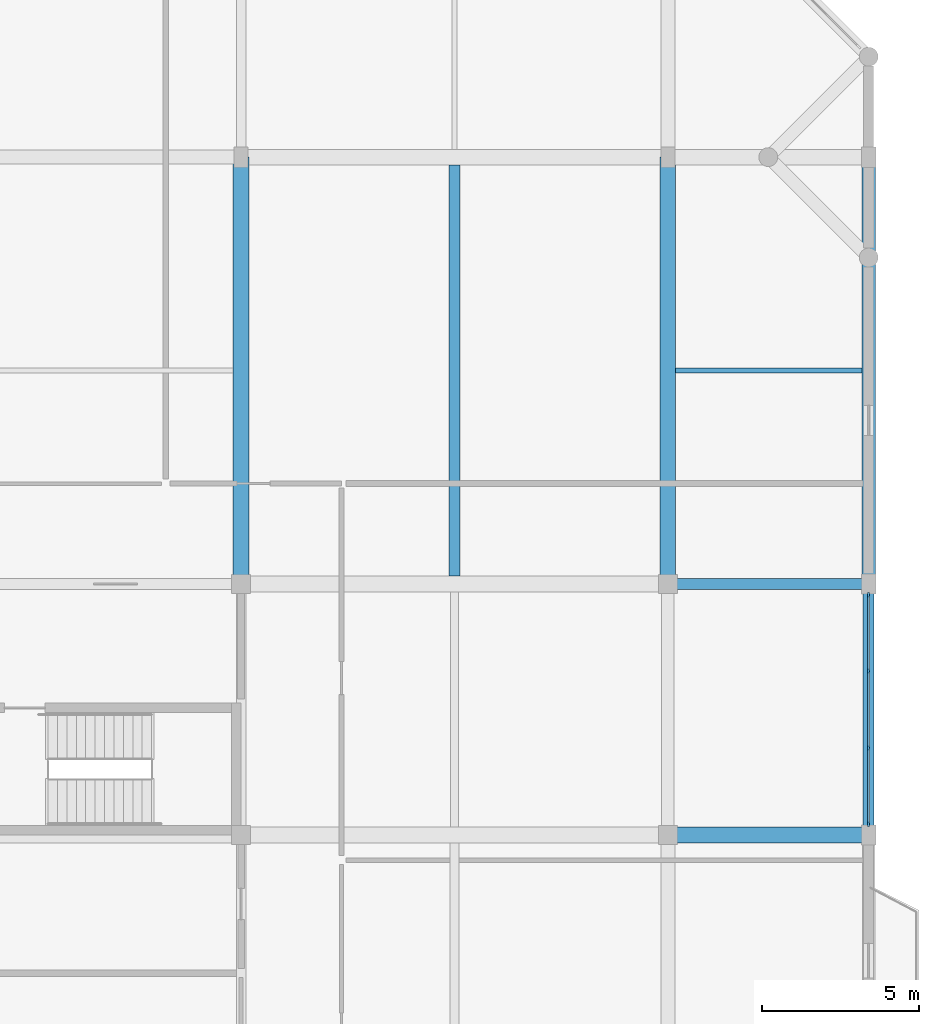
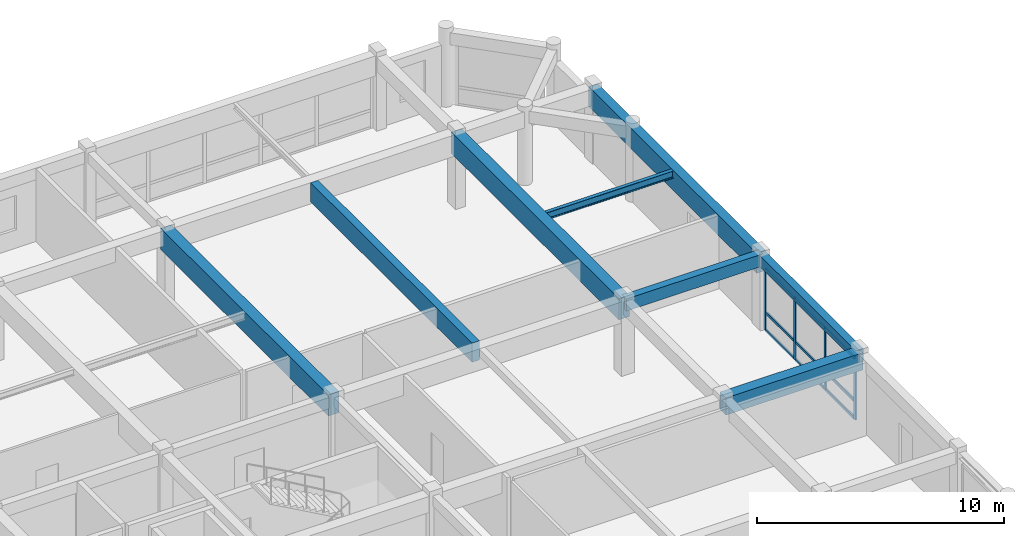
# One storey, part 6 of 13: 13 members, 8 beams, 1 element without a shape of its own.
"""IFC4 building model written with IfcOpenShell, lengths in metres."""

from ifc_helpers import new_model, si_unit, direction, frame, origin, origin_2d, place, context, subcontext, project, spatial, rectangle, i_section, extrude, material, material_profile, profile_set, type_object, element, aggregate, save


model = new_model("IFC4")

# Units and contexts
model_context = context("Model", 3, precision=1e-05, world=origin(), true_north=direction((0.0, 1.0)))
body_context = subcontext(model_context, "Body", "Model", "MODEL_VIEW")
ifc_project = project(units=[si_unit("LENGTHUNIT", "METRE"), si_unit("AREAUNIT", "SQUARE_METRE"), si_unit("VOLUMEUNIT", "CUBIC_METRE"), si_unit("PLANEANGLEUNIT", "RADIAN"), si_unit("MASSUNIT", "GRAM", prefix="KILO")], contexts=[model_context])

# Site, building, storey
site_placement = place(None, origin())
site = spatial("IfcSite", under=ifc_project, at=site_placement, CompositionType="ELEMENT")
building_placement = place(site_placement, origin())
building = spatial("IfcBuilding", under=site, at=building_placement, Name="Vellmiral Cinema and Media Centre", CompositionType="ELEMENT")
storey_placement = place(building_placement, frame((0.0, 0.0, 54.800048828125)))
storey = spatial("IfcBuildingStorey", under=building, at=storey_placement, Name="L13", CompositionType="ELEMENT", Elevation=54.800048828125)

# Beams
ifc_material_1 = material(Name="Concrete C40/50", Category="concrete")
ifc_material_profile_1 = material_profile(ifc_material_1, rectangle(XDim=0.35009765625, YDim=0.60009765625, at=origin_2d()), Name="RC 350x600")
ifc_profile_set_1 = profile_set([ifc_material_profile_1], Name="Concrete C40/50")
beam_type_1 = type_object("IfcBeamType", Name="BM-RC-350x600", PredefinedType="BEAM", material=ifc_profile_set_1)
beam_1_placement = place(storey_placement, frame((161.60009765625, 95.199951171875, 3.35498046875), z_axis=(1.0, 0.0, 0.0), x_axis=(0.0, 1.0, 0.0)))
element("IfcBeam", 1, at=beam_1_placement, inside=storey, type_object=beam_type_1, Name="Grid Beam L13-X024", PredefinedType="BEAM", context=body_context, shape_type="SweptSolid", body=[
    extrude(rectangle(XDim=0.35009765625, YDim=0.60009765625, at=origin_2d()), origin(), (0.0, 0.0, 1.0), 6.39990234375),
])
ifc_material_2 = material(Name="Concrete C40/50", Category="concrete")
ifc_material_profile_2 = material_profile(ifc_material_2, rectangle(XDim=0.5, YDim=0.85009765625, at=origin_2d()), Name="RC 500x850")
ifc_profile_set_2 = profile_set([ifc_material_profile_2], Name="Concrete C40/50")
beam_type_2 = type_object("IfcBeamType", Name="BM-RC-500x850", PredefinedType="BEAM", material=ifc_profile_set_2)
beam_2_placement = place(storey_placement, frame((161.60009765625, 87.199951171875, 3.22998046875), z_axis=(1.0, 0.0, 0.0), x_axis=(0.0, 1.0, 0.0)))
element("IfcBeam", 2, at=beam_2_placement, inside=storey, type_object=beam_type_2, Name="Grid Beam L13-X018", PredefinedType="BEAM", context=body_context, shape_type="SweptSolid", body=[
    extrude(rectangle(XDim=0.5, YDim=0.85009765625, at=origin_2d()), origin(), (0.0, 0.0, 1.0), 6.39990234375),
])
ifc_material_3 = material(Name="Concrete C40/50", Category="concrete")
ifc_material_profile_3 = material_profile(ifc_material_3, rectangle(XDim=0.5, YDim=1.050048828125, at=origin_2d()), Name="RC 500x1050")
ifc_profile_set_3 = profile_set([ifc_material_profile_3], Name="Concrete C40/50")
beam_type_3 = type_object("IfcBeamType", Name="BM-RCG-500x1050", PredefinedType="BEAM", material=ifc_profile_set_3)
for number, where, z_axis, x_axis, name in (
    (3, (148.0, 95.199951171875, 3.1298828125), (0.0, 1.0, 0.0), (-1.0, 0.0, 0.0), "Grid Beam L13-Y059"),
    (4, (161.60009765625, 95.199951171875, 3.1298828125), (0.0, 1.0, 0.0), (-1.0, 0.0, 0.0), "Grid Beam L13-Y064"),
):
    element("IfcBeam", number, at=place(storey_placement, frame(where, z_axis=z_axis, x_axis=x_axis)), inside=storey, type_object=beam_type_3, Name=name, PredefinedType="BEAM", context=body_context, shape_type="SweptSolid", body=[
        extrude(rectangle(XDim=0.5, YDim=1.050048828125, at=origin_2d()), origin(), (0.0, 0.0, 1.0), 13.60009765625),
    ])

# Curtain wall, members
ifc_material_4 = material(Name="Thermally Broken Aluminium and Triple Glazing", Category="aluminium")
curtain_wall_type = type_object("IfcCurtainWallType", Name="CW-TOWER-MID-E", PredefinedType="USERDEFINED", material=ifc_material_4)
curtain_wall_placement = place(storey_placement, origin())
curtain_wall = element("IfcCurtainWall", 5, at=curtain_wall_placement, inside=storey, type_object=curtain_wall_type, Name="Curtain Wall L13-B012", ObjectType="UNITISED CURTAIN WALL", PredefinedType="USERDEFINED")
ifc_material_5 = material(Name="Thermally Broken Anodised Aluminium", Category="aluminium")
ifc_material_profile_4 = material_profile(ifc_material_5, rectangle(XDim=0.06494140625, YDim=0.159912109375, at=origin_2d()), Name="MULL 65x160")
ifc_profile_set_4 = profile_set([ifc_material_profile_4], Name="Thermally Broken Anodised Aluminium")
member_type_1 = type_object("IfcMemberType", Name="CWM-65x160", PredefinedType="MULLION", material=ifc_profile_set_4)
member_1_placement = place(storey_placement, frame((168.0, 87.5576171875, 0.0), z_axis=(0.0, 0.0, 1.0), x_axis=(-1.0, 0.0, 0.0)))
member_1 = element("IfcMember", 6, at=member_1_placement, type_object=member_type_1, Name="CW-07 mullion 1", PredefinedType="MULLION", context=body_context, shape_type="SweptSolid", body=[
    extrude(rectangle(XDim=0.06494140625, YDim=0.159912109375, at=origin_2d()), origin(), (0.0, 0.0, 1.0), 3.06005859375),
])
member_2_placement = place(storey_placement, frame((168.0, 89.97509765625, 0.0), z_axis=(0.0, 0.0, 1.0), x_axis=(-1.0, 0.0, 0.0)))
member_2 = element("IfcMember", 7, at=member_2_placement, type_object=member_type_1, Name="CW-07 mullion 2", PredefinedType="MULLION", context=body_context, shape_type="SweptSolid", body=[
    extrude(rectangle(XDim=0.06494140625, YDim=0.159912109375, at=origin_2d()), origin(), (0.0, 0.0, 1.0), 3.06005859375),
])
member_3_placement = place(storey_placement, frame((168.0, 92.425048828125, 0.0), z_axis=(0.0, 0.0, 1.0), x_axis=(-1.0, 0.0, 0.0)))
member_3 = element("IfcMember", 8, at=member_3_placement, type_object=member_type_1, Name="CW-07 mullion 3", PredefinedType="MULLION", context=body_context, shape_type="SweptSolid", body=[
    extrude(rectangle(XDim=0.06494140625, YDim=0.159912109375, at=origin_2d()), origin(), (0.0, 0.0, 1.0), 3.06005859375),
])
member_4_placement = place(storey_placement, frame((168.0, 94.842529296875, 0.0), z_axis=(0.0, 0.0, 1.0), x_axis=(-1.0, 0.0, 0.0)))
member_4 = element("IfcMember", 9, at=member_4_placement, type_object=member_type_1, Name="CW-07 mullion 4", PredefinedType="MULLION", context=body_context, shape_type="SweptSolid", body=[
    extrude(rectangle(XDim=0.06494140625, YDim=0.159912109375, at=origin_2d()), origin(), (0.0, 0.0, 1.0), 3.06005859375),
])
ifc_material_6 = material(Name="Thermally Broken Anodised Aluminium", Category="aluminium")
ifc_material_profile_5 = material_profile(ifc_material_6, rectangle(XDim=0.06494140625, YDim=0.135009765625, at=origin_2d()), Name="MULL 65x135")
ifc_profile_set_5 = profile_set([ifc_material_profile_5], Name="Thermally Broken Anodised Aluminium")
member_type_2 = type_object("IfcMemberType", Name="CWT-65x135", PredefinedType="USERDEFINED", material=ifc_profile_set_5)
member_5_placement = place(storey_placement, frame((168.0, 87.590087890625, 0.032470703125), z_axis=(0.0, 1.0, 0.0), x_axis=(-1.0, 0.0, 0.0)))
member_5 = element("IfcMember", 10, at=member_5_placement, type_object=member_type_2, Name="CW-07 transom 1.1", ObjectType="TRANSOM", PredefinedType="USERDEFINED", context=body_context, shape_type="SweptSolid", body=[
    extrude(rectangle(XDim=0.06494140625, YDim=0.135009765625, at=origin_2d()), origin(), (0.0, 0.0, 1.0), 2.352294921875),
])
member_6_placement = place(storey_placement, frame((168.0, 87.590087890625, 0.89990234375), z_axis=(0.0, 1.0, 0.0), x_axis=(-1.0, 0.0, 0.0)))
member_6 = element("IfcMember", 11, at=member_6_placement, type_object=member_type_2, Name="CW-07 transom 1.2", ObjectType="TRANSOM", PredefinedType="USERDEFINED", context=body_context, shape_type="SweptSolid", body=[
    extrude(rectangle(XDim=0.06494140625, YDim=0.135009765625, at=origin_2d()), origin(), (0.0, 0.0, 1.0), 2.352294921875),
])
member_7_placement = place(storey_placement, frame((168.0, 87.590087890625, 3.02734375), z_axis=(0.0, 1.0, 0.0), x_axis=(-1.0, 0.0, 0.0)))
member_7 = element("IfcMember", 12, at=member_7_placement, type_object=member_type_2, Name="CW-07 transom 1.3", ObjectType="TRANSOM", PredefinedType="USERDEFINED", context=body_context, shape_type="SweptSolid", body=[
    extrude(rectangle(XDim=0.06494140625, YDim=0.135009765625, at=origin_2d()), origin(), (0.0, 0.0, 1.0), 2.352294921875),
])
member_8_placement = place(storey_placement, frame((168.0, 90.007568359375, 0.032470703125), z_axis=(0.0, 1.0, 0.0), x_axis=(-1.0, 0.0, 0.0)))
member_8 = element("IfcMember", 13, at=member_8_placement, type_object=member_type_2, Name="CW-07 transom 2.1", ObjectType="TRANSOM", PredefinedType="USERDEFINED", context=body_context, shape_type="SweptSolid", body=[
    extrude(rectangle(XDim=0.06494140625, YDim=0.135009765625, at=origin_2d()), origin(), (0.0, 0.0, 1.0), 2.385009765625),
])
member_9_placement = place(storey_placement, frame((168.0, 90.007568359375, 0.89990234375), z_axis=(0.0, 1.0, 0.0), x_axis=(-1.0, 0.0, 0.0)))
member_9 = element("IfcMember", 14, at=member_9_placement, type_object=member_type_2, Name="CW-07 transom 2.2", ObjectType="TRANSOM", PredefinedType="USERDEFINED", context=body_context, shape_type="SweptSolid", body=[
    extrude(rectangle(XDim=0.06494140625, YDim=0.135009765625, at=origin_2d()), origin(), (0.0, 0.0, 1.0), 2.385009765625),
])
member_10_placement = place(storey_placement, frame((168.0, 90.007568359375, 3.02734375), z_axis=(0.0, 1.0, 0.0), x_axis=(-1.0, 0.0, 0.0)))
member_10 = element("IfcMember", 15, at=member_10_placement, type_object=member_type_2, Name="CW-07 transom 2.3", ObjectType="TRANSOM", PredefinedType="USERDEFINED", context=body_context, shape_type="SweptSolid", body=[
    extrude(rectangle(XDim=0.06494140625, YDim=0.135009765625, at=origin_2d()), origin(), (0.0, 0.0, 1.0), 2.385009765625),
])
member_11_placement = place(storey_placement, frame((168.0, 92.45751953125, 0.032470703125), z_axis=(0.0, 1.0, 0.0), x_axis=(-1.0, 0.0, 0.0)))
member_11 = element("IfcMember", 16, at=member_11_placement, type_object=member_type_2, Name="CW-07 transom 3.1", ObjectType="TRANSOM", PredefinedType="USERDEFINED", context=body_context, shape_type="SweptSolid", body=[
    extrude(rectangle(XDim=0.06494140625, YDim=0.135009765625, at=origin_2d()), origin(), (0.0, 0.0, 1.0), 2.3525390625),
])
member_12_placement = place(storey_placement, frame((168.0, 92.45751953125, 0.89990234375), z_axis=(0.0, 1.0, 0.0), x_axis=(-1.0, 0.0, 0.0)))
member_12 = element("IfcMember", 17, at=member_12_placement, type_object=member_type_2, Name="CW-07 transom 3.2", ObjectType="TRANSOM", PredefinedType="USERDEFINED", context=body_context, shape_type="SweptSolid", body=[
    extrude(rectangle(XDim=0.06494140625, YDim=0.135009765625, at=origin_2d()), origin(), (0.0, 0.0, 1.0), 2.3525390625),
])
member_13_placement = place(storey_placement, frame((168.0, 92.45751953125, 3.02734375), z_axis=(0.0, 1.0, 0.0), x_axis=(-1.0, 0.0, 0.0)))
member_13 = element("IfcMember", 18, at=member_13_placement, type_object=member_type_2, Name="CW-07 transom 3.3", ObjectType="TRANSOM", PredefinedType="USERDEFINED", context=body_context, shape_type="SweptSolid", body=[
    extrude(rectangle(XDim=0.06494140625, YDim=0.135009765625, at=origin_2d()), origin(), (0.0, 0.0, 1.0), 2.3525390625),
])
aggregate(curtain_wall, [member_1, member_2, member_3, member_4, member_5, member_6, member_7, member_8, member_9, member_10, member_11, member_12, member_13])

# Beams
ifc_material_7 = material(Name="Concrete C40/50", Category="concrete")
ifc_material_profile_6 = material_profile(ifc_material_7, rectangle(XDim=0.35009765625, YDim=0.949951171875, at=origin_2d()), Name="RC 350x950")
ifc_profile_set_6 = profile_set([ifc_material_profile_6], Name="Concrete C40/50")
beam_type_4 = type_object("IfcBeamType", Name="JST-RCG-350x950", PredefinedType="JOIST", material=ifc_profile_set_6)
beam_3_placement = place(storey_placement, frame((154.800048828125, 95.449951171875, 3.179931640625), z_axis=(0.0, 1.0, 0.0), x_axis=(-1.0, 0.0, 0.0)))
element("IfcBeam", 19, at=beam_3_placement, inside=storey, type_object=beam_type_4, Name="Secondary Floor Joist L13-008", PredefinedType="JOIST", context=body_context, shape_type="SweptSolid", body=[
    extrude(rectangle(XDim=0.35009765625, YDim=0.949951171875, at=origin_2d()), origin(), (0.0, 0.0, 1.0), 13.10009765625),
])
ifc_material_8 = material(Name="Steel S355", Category="steel")
ifc_material_profile_7 = material_profile(ifc_material_8, i_section(OverallWidth=0.169921875, OverallDepth=0.360107421875, WebThickness=0.008056640625, FlangeThickness=0.0126953125, FilletRadius=0.01806640625, at=origin_2d()), Name="IPE 360")
ifc_profile_set_7 = profile_set([ifc_material_profile_7], Name="Steel S355")
beam_type_5 = type_object("IfcBeamType", Name="SBM-IPE360", PredefinedType="JOIST", material=ifc_profile_set_7)
beam_4_placement = place(storey_placement, frame((161.85009765625, 102.0, 3.474853515625), z_axis=(1.0, 0.0, 0.0), x_axis=(0.0, 1.0, 0.0)))
element("IfcBeam", 20, at=beam_4_placement, inside=storey, type_object=beam_type_5, Name="Secondary Floor Joist L13-010", PredefinedType="JOIST", context=body_context, shape_type="SweptSolid", body=[
    extrude(i_section(OverallWidth=0.169921875, OverallDepth=0.360107421875, WebThickness=0.008056640625, FlangeThickness=0.0126953125, FilletRadius=0.01806640625, at=origin_2d()), origin(), (0.0, 0.0, 1.0), 5.93994140625),
])
ifc_material_9 = material(Name="Concrete C40/50", Category="concrete")
ifc_material_profile_8 = material_profile(ifc_material_9, rectangle(XDim=0.35009765625, YDim=0.56005859375, at=origin_2d()), Name="RC 350x560")
ifc_profile_set_8 = profile_set([ifc_material_profile_8], Name="Concrete C40/50")
beam_type_6 = type_object("IfcBeamType", Name="SPD-RC-350x560", PredefinedType="SPANDREL", material=ifc_profile_set_8)
beam_5_placement = place(storey_placement, frame((168.0, 87.199951171875, 3.375), z_axis=(0.0, 1.0, 0.0), x_axis=(-1.0, 0.0, 0.0)))
element("IfcBeam", 21, at=beam_5_placement, inside=storey, type_object=beam_type_6, Name="Grid Beam L13-Y068", PredefinedType="SPANDREL", context=body_context, shape_type="SweptSolid", body=[
    extrude(rectangle(XDim=0.35009765625, YDim=0.56005859375, at=origin_2d()), origin(), (0.0, 0.0, 1.0), 8.0),
])
ifc_material_10 = material(Name="Vosges Red Sandstone Masonry", Category="masonry")
ifc_material_profile_9 = material_profile(ifc_material_10, rectangle(XDim=0.419921875, YDim=1.0, at=origin_2d()), Name="SAND 420x1000")
ifc_profile_set_9 = profile_set([ifc_material_profile_9], Name="Vosges Red Sandstone Masonry")
beam_type_7 = type_object("IfcBeamType", Name="SPD-SANDG-420x1000", PredefinedType="SPANDREL", material=ifc_profile_set_9)
beam_6_placement = place(storey_placement, frame((168.0, 95.199951171875, 3.155029296875), z_axis=(0.0, 1.0, 0.0), x_axis=(-1.0, 0.0, 0.0)))
element("IfcBeam", 22, at=beam_6_placement, inside=storey, type_object=beam_type_7, Name="Grid Beam L13-Y069", PredefinedType="SPANDREL", context=body_context, shape_type="SweptSolid", body=[
    extrude(rectangle(XDim=0.419921875, YDim=1.0, at=origin_2d()), origin(), (0.0, 0.0, 1.0), 13.60009765625),
])

save(model, "model.ifc")
